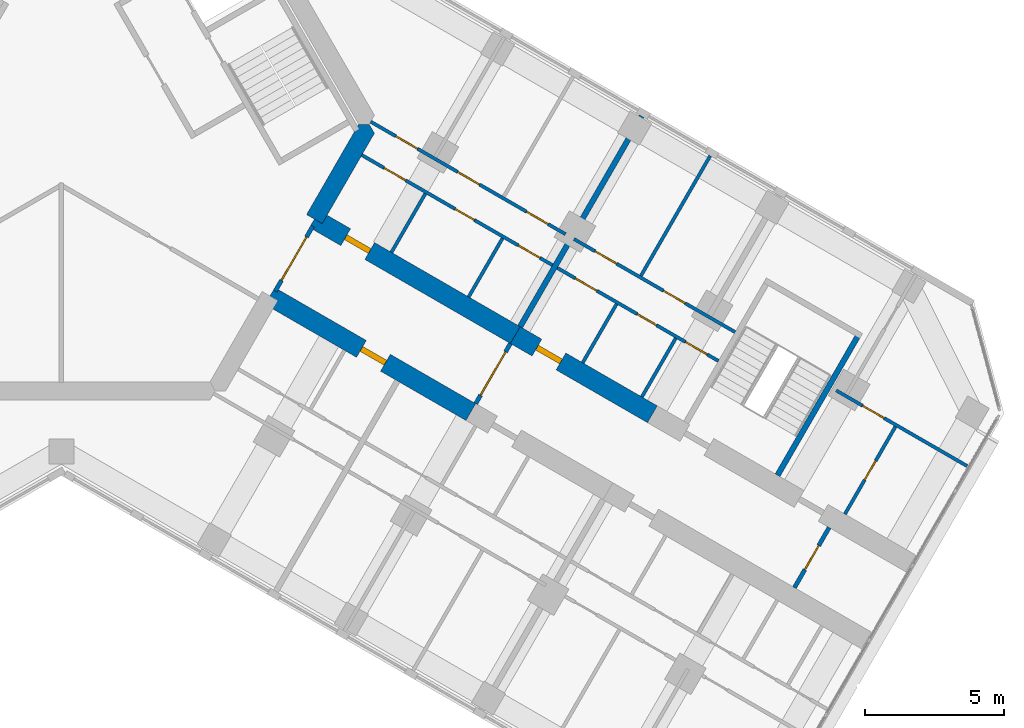
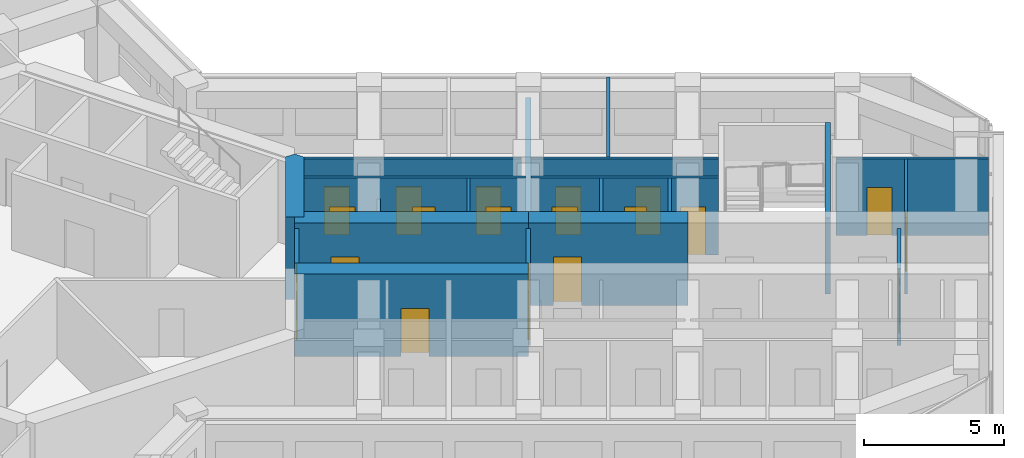
# One storey, part 12 of 16: 20 walls, 19 doors, 19 openings.
"""IFC4 building model written with IfcOpenShell, lengths in metres."""

from ifc_helpers import new_model, si_unit, direction, frame, frame_2d, origin, place, context, subcontext, project, spatial, polyline, rectangle, outline, extrude, material, layer, layer_set, type_object, element, fill, save


model = new_model("IFC4")

# Units and contexts
model_context = context("Model", 3, precision=1e-05, world=origin(), true_north=direction((0.0, 1.0)))
body_context = subcontext(model_context, "Body", "Model", "MODEL_VIEW")
ifc_project = project(units=[si_unit("LENGTHUNIT", "METRE"), si_unit("AREAUNIT", "SQUARE_METRE"), si_unit("VOLUMEUNIT", "CUBIC_METRE"), si_unit("PLANEANGLEUNIT", "RADIAN"), si_unit("MASSUNIT", "GRAM", prefix="KILO")], contexts=[model_context])

# Site, building, storey
site_placement = place(None, origin())
site = spatial("IfcSite", under=ifc_project, at=site_placement, CompositionType="ELEMENT")
building_placement = place(site_placement, origin())
building = spatial("IfcBuilding", under=site, at=building_placement, Name="Kosmar Iwan School Tower", CompositionType="ELEMENT")
storey_placement = place(building_placement, frame((0.0, 0.0, 215.39990234375)))
storey = spatial("IfcBuildingStorey", under=building, at=storey_placement, Name="L54", CompositionType="ELEMENT", Elevation=215.39990234375)

# Wall
ifc_material_1 = material(Name="Concrete C50/60", Category="concrete")
ifc_layer_1 = layer(ifc_material_1, 0.64990234375)
ifc_layer_set_1 = layer_set([ifc_layer_1], Name="Core wall 650")
wall_type_1 = type_object("IfcWallType", Name="Core wall 650", PredefinedType="SHEAR", material=ifc_layer_set_1)
wall_1_placement = place(storey_placement, origin())
element("IfcWall", 1, at=wall_1_placement, inside=storey, type_object=wall_type_1, Name="Core wall F330b", PredefinedType="SHEAR", context=body_context, shape_type="SweptSolid", body=[
    extrude(outline(polyline([(9.395263671875, -3.576904296875), (11.272705078125, -0.324951171875), (11.085205078125, 0.0), (10.7099609375, 0.0), (8.832275390625, -3.251953125), (9.395263671875, -3.576904296875)])), origin(), (0.0, 0.0, 1.0), 3.60009765625),
])

# Wall, opening, door
ifc_material_2 = material(Name="Concrete C50/60", Category="concrete")
ifc_layer_2 = layer(ifc_material_2, 0.699951171875)
ifc_layer_set_2 = layer_set([ifc_layer_2], Name="Corridor buttress wall 700")
wall_type_2 = type_object("IfcWallType", Name="Corridor buttress wall 700", PredefinedType="SHEAR", material=ifc_layer_set_2)
wall_2_placement = place(storey_placement, frame((9.11376953125, -3.414306640625, 0.0), z_axis=(0.0, 0.0, 1.0), x_axis=(0.866026859388, -0.499997478812, 0.0)))
wall_2 = element("IfcWall", 2, at=wall_2_placement, inside=storey, type_object=wall_type_2, Name="Corridor wall CL", PredefinedType="SHEAR", context=body_context, shape_type="SweptSolid", body=[
    extrude(rectangle(XDim=8.35009765625, YDim=0.699951171875, at=frame_2d((4.175048828125, 0.0))), origin(), (0.0, 0.0, 1.0), 3.60009765625),
])
opening_1_placement = place(wall_2_placement, frame((1.300048828125, 0.0, 0.0)))
opening_1 = element("IfcOpeningElement", 3, at=opening_1_placement, cuts=wall_2, Name="Opening D1", PredefinedType="OPENING", context=body_context, shape_type="SweptSolid", body=[
    extrude(rectangle(XDim=1.0, YDim=2.10009765625, at=frame_2d((0.5, 1.050048828125))), frame((0.0, 0.362060546875, 0.0), z_axis=(0.0, -1.0, 0.0), x_axis=(1.0, 0.0, 0.0)), (0.0, 0.0, 1.0), 0.723876953125),
])
ifc_material_3 = material(Name="Timber fire door in steel frame", Category="steel")
door_type_1 = type_object("IfcDoorType", Name="Flat entrance door 1000x2100", OperationType="SINGLE_SWING_LEFT", PredefinedType="DOOR", material=ifc_material_3)
door_1_placement = place(opening_1_placement, origin())
door_1 = element("IfcDoor", 4, at=door_1_placement, inside=storey, type_object=door_type_1, Name="Flat L54-CL1 entrance door", OperationType="SINGLE_SWING_RIGHT", OverallHeight=2.10009765625, OverallWidth=1.0, PredefinedType="DOOR", context=body_context, shape_type="SweptSolid", body=[
    extrude(rectangle(XDim=1.0, YDim=2.10009765625, at=frame_2d((0.5, 1.050048828125))), frame((0.0, 0.10009765625, 0.0), z_axis=(0.0, -1.0, 0.0), x_axis=(1.0, 0.0, 0.0)), (0.0, 0.0, 1.0), 0.199951171875),
])
fill(opening_1, door_1)

wall_3_placement = place(storey_placement, frame((16.34521484375, -7.58935546875, 0.0), z_axis=(0.0, 0.0, 1.0), x_axis=(0.866015111908, -0.50001782563, 0.0)))
wall_3 = element("IfcWall", 5, at=wall_3_placement, inside=storey, type_object=wall_type_2, Name="Corridor wall CL bay 2", PredefinedType="SHEAR", context=body_context, shape_type="SweptSolid", body=[
    extrude(rectangle(XDim=5.699951171875, YDim=0.699951171875, at=frame_2d((2.85009765625, 0.0))), origin(), (0.0, 0.0, 1.0), 3.60009765625),
])
opening_2_placement = place(wall_3_placement, frame((0.89990234375, 0.0, 0.0)))
opening_2 = element("IfcOpeningElement", 6, at=opening_2_placement, cuts=wall_3, Name="Opening D1", PredefinedType="OPENING", context=body_context, shape_type="SweptSolid", body=[
    extrude(rectangle(XDim=1.0, YDim=2.10009765625, at=frame_2d((0.5, 1.050048828125))), frame((0.0, 0.362060546875, 0.0), z_axis=(0.0, -1.0, 0.0), x_axis=(1.0, 0.0, 0.0)), (0.0, 0.0, 1.0), 0.723876953125),
])
door_2_placement = place(opening_2_placement, origin())
door_2 = element("IfcDoor", 7, at=door_2_placement, inside=storey, type_object=door_type_1, Name="Flat L54-CL2 entrance door", OperationType="SINGLE_SWING_RIGHT", OverallHeight=2.10009765625, OverallWidth=1.0, PredefinedType="DOOR", context=body_context, shape_type="SweptSolid", body=[
    extrude(rectangle(XDim=1.0, YDim=2.10009765625, at=frame_2d((0.5, 1.050048828125))), frame((0.0, 0.10009765625, 0.0), z_axis=(0.0, -1.0, 0.0), x_axis=(1.0, 0.0, 0.0)), (0.0, 0.0, 1.0), 0.199951171875),
])
fill(opening_2, door_2)

wall_4_placement = place(storey_placement, frame((7.513916015625, -6.185546875, 0.0), z_axis=(0.0, 0.0, 1.0), x_axis=(0.866019549707, -0.500010139422, 0.0)))
wall_4 = element("IfcWall", 8, at=wall_4_placement, inside=storey, type_object=wall_type_2, Name="Corridor wall CR", PredefinedType="SHEAR", context=body_context, shape_type="SweptSolid", body=[
    extrude(rectangle(XDim=8.349853515625, YDim=0.699951171875, at=frame_2d((4.1748046875, 0.0))), origin(), (0.0, 0.0, 1.0), 3.60009765625),
])
opening_3_placement = place(wall_4_placement, frame((3.800048828125, 0.0, 0.0)))
opening_3 = element("IfcOpeningElement", 9, at=opening_3_placement, cuts=wall_4, Name="Opening D1", PredefinedType="OPENING", context=body_context, shape_type="SweptSolid", body=[
    extrude(rectangle(XDim=1.0, YDim=2.10009765625, at=frame_2d((0.5, 1.050048828125))), frame((0.0, 0.362060546875, 0.0), z_axis=(0.0, -1.0, 0.0), x_axis=(1.0, 0.0, 0.0)), (0.0, 0.0, 1.0), 0.723876953125),
])
door_3_placement = place(opening_3_placement, origin())
door_3 = element("IfcDoor", 10, at=door_3_placement, inside=storey, type_object=door_type_1, Name="Flat L54-CR1 entrance door", OperationType="SINGLE_SWING_RIGHT", OverallHeight=2.10009765625, OverallWidth=1.0, PredefinedType="DOOR", context=body_context, shape_type="SweptSolid", body=[
    extrude(rectangle(XDim=1.0, YDim=2.10009765625, at=frame_2d((0.5, 1.050048828125))), frame((0.0, 0.10009765625, 0.0), z_axis=(0.0, -1.0, 0.0), x_axis=(1.0, 0.0, 0.0)), (0.0, 0.0, 1.0), 0.199951171875),
])
fill(opening_3, door_3)

ifc_material_4 = material(Name="Gypsum board on steel studs, fire-rated", Category="steel")
ifc_layer_3 = layer(ifc_material_4, 0.14990234375)
ifc_layer_set_3 = layer_set([ifc_layer_3], Name="Corridor end wall 150")
wall_type_3 = type_object("IfcWallType", Name="Corridor end wall 150", PredefinedType="PARTITIONING", material=ifc_layer_set_3)
wall_5_placement = place(storey_placement, frame((26.39501953125, -16.6826171875, 0.0), z_axis=(0.0, 0.0, 1.0), x_axis=(0.500004234368, 0.866022959057, 0.0)))
wall_5 = element("IfcWall", 11, at=wall_5_placement, inside=storey, type_object=wall_type_3, Name="Partition L54-C-CE", PredefinedType="PARTITIONING", context=body_context, shape_type="SweptSolid", body=[
    extrude(rectangle(XDim=2.5, YDim=0.14990234375, at=frame_2d((1.25, 0.0))), origin(), (0.0, 0.0, 1.0), 3.35009765625),
])
opening_4_placement = place(wall_5_placement, frame((0.75, 0.0, 0.0)))
opening_4 = element("IfcOpeningElement", 12, at=opening_4_placement, cuts=wall_5, Name="Opening D13", PredefinedType="OPENING", context=body_context, shape_type="SweptSolid", body=[
    extrude(rectangle(XDim=1.0, YDim=2.10009765625, at=frame_2d((0.5, 1.050048828125))), frame((0.0, 0.0869140625, 0.0), z_axis=(0.0, -1.0, 0.0), x_axis=(1.0, 0.0, 0.0)), (0.0, 0.0, 1.0), 0.173828125),
])
ifc_material_5 = material(Name="Timber fire door with vision panel", Category="wood")
door_type_2 = type_object("IfcDoorType", Name="Corridor end door 1000x2100", OperationType="SINGLE_SWING_LEFT", PredefinedType="DOOR", material=ifc_material_5)
door_4_placement = place(opening_4_placement, origin())
door_4 = element("IfcDoor", 13, at=door_4_placement, inside=storey, type_object=door_type_2, Name="Laundry and drying room door L54-C", OperationType="SINGLE_SWING_RIGHT", OverallHeight=2.10009765625, OverallWidth=1.0, PredefinedType="DOOR", context=body_context, shape_type="SweptSolid", body=[
    extrude(rectangle(XDim=1.0, YDim=2.10009765625, at=frame_2d((0.5, 1.050048828125))), frame((0.0, 0.02490234375, 0.0), z_axis=(0.0, -1.0, 0.0), x_axis=(1.0, 0.0, 0.0)), (0.0, 0.0, 1.0), 0.050048828125),
])
fill(opening_4, door_4)

wall_6_placement = place(storey_placement, frame((14.920166015625, -10.0576171875, 0.0), z_axis=(0.0, 0.0, 1.0), x_axis=(0.500004234368, 0.866022959057, 0.0)))
wall_6 = element("IfcWall", 14, at=wall_6_placement, inside=storey, type_object=wall_type_3, Name="Partition L54-C-HW", PredefinedType="PARTITIONING", context=body_context, shape_type="SweptSolid", body=[
    extrude(rectangle(XDim=2.5, YDim=0.14990234375, at=frame_2d((1.25, 0.0))), origin(), (0.0, 0.0, 1.0), 3.35009765625),
])
opening_5_placement = place(wall_6_placement, frame((0.35009765625, 0.0, 0.0)))
opening_5 = element("IfcOpeningElement", 15, at=opening_5_placement, cuts=wall_6, Name="Opening D9", PredefinedType="OPENING", context=body_context, shape_type="SweptSolid", body=[
    extrude(rectangle(XDim=1.800048828125, YDim=2.10009765625, at=frame_2d((0.89990234375, 1.050048828125))), frame((0.0, 0.0869140625, 0.0), z_axis=(0.0, -1.0, 0.0), x_axis=(1.0, 0.0, 0.0)), (0.0, 0.0, 1.0), 0.173828125),
])
ifc_material_6 = material(Name="Steel framed glazed smoke door", Category="steel")
door_type_3 = type_object("IfcDoorType", Name="Corridor smoke door pair 1800x2100", OperationType="DOUBLE_DOOR_DOUBLE_SWING", PredefinedType="DOOR", material=ifc_material_6)
door_5_placement = place(opening_5_placement, origin())
door_5 = element("IfcDoor", 16, at=door_5_placement, inside=storey, type_object=door_type_3, Name="Entrance vestibule smoke doors L54-C", OperationType="DOUBLE_DOOR_DOUBLE_SWING", OverallHeight=2.10009765625, OverallWidth=1.800048828125, PredefinedType="DOOR", context=body_context, shape_type="SweptSolid", body=[
    extrude(rectangle(XDim=1.800048828125, YDim=2.10009765625, at=frame_2d((0.89990234375, 1.050048828125))), frame((0.0, 0.02490234375, 0.0), z_axis=(0.0, -1.0, 0.0), x_axis=(1.0, 0.0, 0.0)), (0.0, 0.0, 1.0), 0.050048828125),
])
fill(opening_5, door_5)

ifc_material_7 = material(Name="Steel framed glazed screen", Category="steel")
ifc_layer_4 = layer(ifc_material_7, 0.14990234375)
ifc_layer_set_4 = layer_set([ifc_layer_4], Name="Corridor screen wall 150")
wall_type_4 = type_object("IfcWallType", Name="Corridor screen wall 150", PredefinedType="PARTITIONING", material=ifc_layer_set_4)
wall_7_placement = place(storey_placement, frame((7.703857421875, -6.006591796875, 0.0), z_axis=(0.0, 0.0, 1.0), x_axis=(0.499980770555, 0.866036505625, 0.0)))
wall_7 = element("IfcWall", 17, at=wall_7_placement, inside=storey, type_object=wall_type_4, Name="Corridor screen C L54", PredefinedType="PARTITIONING", context=body_context, shape_type="SweptSolid", body=[
    extrude(rectangle(XDim=2.69970703125, YDim=0.14990234375, at=frame_2d((1.349853515625, 0.0))), origin(), (0.0, 0.0, 1.0), 3.35009765625),
])
opening_6_placement = place(wall_7_placement, frame((0.449951171875, 0.0, 0.0)))
opening_6 = element("IfcOpeningElement", 18, at=opening_6_placement, cuts=wall_7, Name="Opening D9", PredefinedType="OPENING", context=body_context, shape_type="SweptSolid", body=[
    extrude(rectangle(XDim=1.800048828125, YDim=2.10009765625, at=frame_2d((0.89990234375, 1.050048828125))), frame((0.0, 0.0869140625, 0.0), z_axis=(0.0, -1.0, 0.0), x_axis=(1.0, 0.0, 0.0)), (0.0, 0.0, 1.0), 0.173828125),
])
door_6_placement = place(opening_6_placement, origin())
door_6 = element("IfcDoor", 19, at=door_6_placement, inside=storey, type_object=door_type_3, Name="Corridor doors C L54", OperationType="DOUBLE_DOOR_DOUBLE_SWING", OverallHeight=2.10009765625, OverallWidth=1.800048828125, PredefinedType="DOOR", context=body_context, shape_type="SweptSolid", body=[
    extrude(rectangle(XDim=1.800048828125, YDim=2.10009765625, at=frame_2d((0.89990234375, 1.050048828125))), frame((0.0, 0.02490234375, 0.0), z_axis=(0.0, -1.0, 0.0), x_axis=(1.0, 0.0, 0.0)), (0.0, 0.0, 1.0), 0.050048828125),
])
fill(opening_6, door_6)

# Wall, openings, doors
ifc_material_8 = material(Name="Gypsum board on steel studs", Category="steel")
ifc_layer_5 = layer(ifc_material_8, 0.1201171875)
ifc_layer_set_5 = layer_set([ifc_layer_5], Name="Dwelling partition 120")
wall_type_5 = type_object("IfcWallType", Name="Dwelling partition 120", PredefinedType="PARTITIONING", material=ifc_layer_set_5)
wall_8_placement = place(storey_placement, frame((10.8203125, -1.108642578125, 0.0), z_axis=(0.0, 0.0, 1.0), x_axis=(0.866018344059, -0.500012227604, 0.0)))
wall_8 = element("IfcWall", 20, at=wall_8_placement, inside=storey, type_object=wall_type_5, Name="Partition L54-CL1-W1", PredefinedType="PARTITIONING", context=body_context, shape_type="SweptSolid", body=[
    extrude(rectangle(XDim=7.925048828125, YDim=0.1201171875, at=frame_2d((3.96240234375, 0.0))), origin(), (0.0, 0.0, 1.0), 3.35009765625),
])
opening_7_placement = place(wall_8_placement, frame((0.925048828125, 0.0, 0.0)))
opening_7 = element("IfcOpeningElement", 21, at=opening_7_placement, cuts=wall_8, Name="Opening D2", PredefinedType="OPENING", context=body_context, shape_type="SweptSolid", body=[
    extrude(rectangle(XDim=0.89990234375, YDim=2.10009765625, at=frame_2d((0.449951171875, 1.050048828125))), frame((0.0, 0.072021484375, 0.0), z_axis=(0.0, -1.0, 0.0), x_axis=(1.0, 0.0, 0.0)), (0.0, 0.0, 1.0), 0.14404296875),
])
opening_8_placement = place(wall_8_placement, frame((3.880126953125, 0.0, 0.0)))
opening_8 = element("IfcOpeningElement", 22, at=opening_8_placement, cuts=wall_8, Name="Opening D3", PredefinedType="OPENING", context=body_context, shape_type="SweptSolid", body=[
    extrude(rectangle(XDim=0.800048828125, YDim=2.10009765625, at=frame_2d((0.39990234375, 1.050048828125))), frame((0.0, 0.072021484375, 0.0), z_axis=(0.0, -1.0, 0.0), x_axis=(1.0, 0.0, 0.0)), (0.0, 0.0, 1.0), 0.14404296875),
])
opening_9_placement = place(wall_8_placement, frame((6.505126953125, 0.0, 0.0)))
opening_9 = element("IfcOpeningElement", 23, at=opening_9_placement, cuts=wall_8, Name="Opening D2", PredefinedType="OPENING", context=body_context, shape_type="SweptSolid", body=[
    extrude(rectangle(XDim=0.89990234375, YDim=2.10009765625, at=frame_2d((0.449951171875, 1.050048828125))), frame((0.0, 0.072021484375, 0.0), z_axis=(0.0, -1.0, 0.0), x_axis=(1.0, 0.0, 0.0)), (0.0, 0.0, 1.0), 0.14404296875),
])
ifc_material_9 = material(Name="Timber door in timber frame", Category="wood")
door_type_4 = type_object("IfcDoorType", Name="Internal door 900x2100", OperationType="SINGLE_SWING_LEFT", PredefinedType="DOOR", material=ifc_material_9)
door_7_placement = place(opening_7_placement, origin())
door_7 = element("IfcDoor", 24, at=door_7_placement, inside=storey, type_object=door_type_4, Name="Entrance hall door L54-CL1-S1", OperationType="SINGLE_SWING_LEFT", OverallHeight=2.10009765625, OverallWidth=0.89990234375, PredefinedType="DOOR", context=body_context, shape_type="SweptSolid", body=[
    extrude(rectangle(XDim=0.89990234375, YDim=2.10009765625, at=frame_2d((0.449951171875, 1.050048828125))), frame((0.0, 0.02490234375, 0.0), z_axis=(0.0, -1.0, 0.0), x_axis=(1.0, 0.0, 0.0)), (0.0, 0.0, 1.0), 0.050048828125),
])
fill(opening_7, door_7)
door_8_placement = place(opening_9_placement, origin())
door_8 = element("IfcDoor", 25, at=door_8_placement, inside=storey, type_object=door_type_4, Name="Pantry door L54-CL1-S3", OperationType="SINGLE_SWING_RIGHT", OverallHeight=2.10009765625, OverallWidth=0.89990234375, PredefinedType="DOOR", context=body_context, shape_type="SweptSolid", body=[
    extrude(rectangle(XDim=0.89990234375, YDim=2.10009765625, at=frame_2d((0.449951171875, 1.050048828125))), frame((0.0, 0.02490234375, 0.0), z_axis=(0.0, -1.0, 0.0), x_axis=(1.0, 0.0, 0.0)), (0.0, 0.0, 1.0), 0.050048828125),
])
fill(opening_9, door_8)
ifc_material_10 = material(Name="Timber door in timber frame", Category="wood")
door_type_5 = type_object("IfcDoorType", Name="Sanitary room door 800x2100", OperationType="SINGLE_SWING_LEFT", PredefinedType="DOOR", material=ifc_material_10)
door_9_placement = place(opening_8_placement, origin())
door_9 = element("IfcDoor", 26, at=door_9_placement, inside=storey, type_object=door_type_5, Name="Bathroom door L54-CL1-S2", OperationType="SINGLE_SWING_RIGHT", OverallHeight=2.10009765625, OverallWidth=0.800048828125, PredefinedType="DOOR", context=body_context, shape_type="SweptSolid", body=[
    extrude(rectangle(XDim=0.800048828125, YDim=2.10009765625, at=frame_2d((0.39990234375, 1.050048828125))), frame((0.0, 0.02490234375, 0.0), z_axis=(0.0, -1.0, 0.0), x_axis=(1.0, 0.0, 0.0)), (0.0, 0.0, 1.0), 0.050048828125),
])
fill(opening_8, door_9)

wall_9_placement = place(storey_placement, frame((11.138916015625, 0.093017578125, 0.0), z_axis=(0.0, 0.0, 1.0), x_axis=(0.866017937352, -0.500012932018, 0.0)))
wall_9 = element("IfcWall", 27, at=wall_9_placement, inside=storey, type_object=wall_type_5, Name="Partition L54-CL1-W2", PredefinedType="PARTITIONING", context=body_context, shape_type="SweptSolid", body=[
    extrude(rectangle(XDim=8.099853515625, YDim=0.1201171875, at=frame_2d((4.0498046875, 0.0))), origin(), (0.0, 0.0, 1.0), 3.35009765625),
])
opening_10_placement = place(wall_9_placement, frame((1.050048828125, 0.0, 0.0)))
opening_10 = element("IfcOpeningElement", 28, at=opening_10_placement, cuts=wall_9, Name="Opening D2", PredefinedType="OPENING", context=body_context, shape_type="SweptSolid", body=[
    extrude(rectangle(XDim=0.89990234375, YDim=2.10009765625, at=frame_2d((0.449951171875, 1.050048828125))), frame((0.0, 0.072021484375, 0.0), z_axis=(0.0, -1.0, 0.0), x_axis=(1.0, 0.0, 0.0)), (0.0, 0.0, 1.0), 0.14404296875),
])
opening_11_placement = place(wall_9_placement, frame((3.625, 0.0, 0.0)))
opening_11 = element("IfcOpeningElement", 29, at=opening_11_placement, cuts=wall_9, Name="Opening D2", PredefinedType="OPENING", context=body_context, shape_type="SweptSolid", body=[
    extrude(rectangle(XDim=0.89990234375, YDim=2.10009765625, at=frame_2d((0.449951171875, 1.050048828125))), frame((0.0, 0.072021484375, 0.0), z_axis=(0.0, -1.0, 0.0), x_axis=(1.0, 0.0, 0.0)), (0.0, 0.0, 1.0), 0.14404296875),
])
opening_12_placement = place(wall_9_placement, frame((6.47509765625, 0.0, 0.0)))
opening_12 = element("IfcOpeningElement", 30, at=opening_12_placement, cuts=wall_9, Name="Opening D2", PredefinedType="OPENING", context=body_context, shape_type="SweptSolid", body=[
    extrude(rectangle(XDim=0.89990234375, YDim=2.10009765625, at=frame_2d((0.449951171875, 1.050048828125))), frame((0.0, 0.072021484375, 0.0), z_axis=(0.0, -1.0, 0.0), x_axis=(1.0, 0.0, 0.0)), (0.0, 0.0, 1.0), 0.14404296875),
])
door_10_placement = place(opening_10_placement, origin())
door_10 = element("IfcDoor", 31, at=door_10_placement, inside=storey, type_object=door_type_4, Name="Living room and kitchen door L54-CL1-F1", OperationType="SINGLE_SWING_LEFT", OverallHeight=2.10009765625, OverallWidth=0.89990234375, PredefinedType="DOOR", context=body_context, shape_type="SweptSolid", body=[
    extrude(rectangle(XDim=0.89990234375, YDim=2.10009765625, at=frame_2d((0.449951171875, 1.050048828125))), frame((0.0, 0.02490234375, 0.0), z_axis=(0.0, -1.0, 0.0), x_axis=(1.0, 0.0, 0.0)), (0.0, 0.0, 1.0), 0.050048828125),
])
fill(opening_10, door_10)
door_11_placement = place(opening_11_placement, origin())
door_11 = element("IfcDoor", 32, at=door_11_placement, inside=storey, type_object=door_type_4, Name="Study door L54-CL1-F2", OperationType="SINGLE_SWING_LEFT", OverallHeight=2.10009765625, OverallWidth=0.89990234375, PredefinedType="DOOR", context=body_context, shape_type="SweptSolid", body=[
    extrude(rectangle(XDim=0.89990234375, YDim=2.10009765625, at=frame_2d((0.449951171875, 1.050048828125))), frame((0.0, 0.02490234375, 0.0), z_axis=(0.0, -1.0, 0.0), x_axis=(1.0, 0.0, 0.0)), (0.0, 0.0, 1.0), 0.050048828125),
])
fill(opening_11, door_11)
door_12_placement = place(opening_12_placement, origin())
door_12 = element("IfcDoor", 33, at=door_12_placement, inside=storey, type_object=door_type_4, Name="Bedroom 1 door L54-CL1-F3", OperationType="SINGLE_SWING_RIGHT", OverallHeight=2.10009765625, OverallWidth=0.89990234375, PredefinedType="DOOR", context=body_context, shape_type="SweptSolid", body=[
    extrude(rectangle(XDim=0.89990234375, YDim=2.10009765625, at=frame_2d((0.449951171875, 1.050048828125))), frame((0.0, 0.02490234375, 0.0), z_axis=(0.0, -1.0, 0.0), x_axis=(1.0, 0.0, 0.0)), (0.0, 0.0, 1.0), 0.050048828125),
])
fill(opening_12, door_12)

# Walls
wall_10_placement = place(storey_placement, frame((11.886962890625, -4.611328125, 0.0), z_axis=(0.0, 0.0, 1.0), x_axis=(0.499959183527, 0.866048967903, 0.0)))
element("IfcWall", 34, at=wall_10_placement, inside=storey, type_object=wall_type_5, Name="Partition L54-CL1-Y1", PredefinedType="PARTITIONING", context=body_context, shape_type="SweptSolid", body=[
    extrude(rectangle(XDim=2.440185546875, YDim=0.1201171875, at=frame_2d((1.22021484375, 0.0))), origin(), (0.0, 0.0, 1.0), 2.4501953125),
])
wall_11_placement = place(storey_placement, frame((14.666748046875, -6.21630859375, 0.0), z_axis=(0.0, 0.0, 1.0), x_axis=(0.500034220881, 0.866005645448, 0.0)))
element("IfcWall", 35, at=wall_11_placement, inside=storey, type_object=wall_type_5, Name="Partition L54-CL1-Y2", PredefinedType="PARTITIONING", context=body_context, shape_type="SweptSolid", body=[
    extrude(rectangle(XDim=2.440185546875, YDim=0.1201171875, at=frame_2d((1.22021484375, 0.0))), origin(), (0.0, 0.0, 1.0), 3.35009765625),
])

# Wall, openings, doors
wall_12_placement = place(storey_placement, frame((17.856689453125, -5.171142578125, 0.0), z_axis=(0.0, 0.0, 1.0), x_axis=(0.866023571113, -0.500003174267, 0.0)))
wall_12 = element("IfcWall", 36, at=wall_12_placement, inside=storey, type_object=wall_type_5, Name="Partition L54-CL2-W1", PredefinedType="PARTITIONING", context=body_context, shape_type="SweptSolid", body=[
    extrude(rectangle(XDim=6.7001953125, YDim=0.1201171875, at=frame_2d((3.35009765625, 0.0))), origin(), (0.0, 0.0, 1.0), 3.35009765625),
])
opening_13_placement = place(wall_12_placement, frame((0.75, 0.0, 0.0)))
opening_13 = element("IfcOpeningElement", 37, at=opening_13_placement, cuts=wall_12, Name="Opening D2", PredefinedType="OPENING", context=body_context, shape_type="SweptSolid", body=[
    extrude(rectangle(XDim=0.89990234375, YDim=2.10009765625, at=frame_2d((0.449951171875, 1.050048828125))), frame((0.0, 0.072021484375, 0.0), z_axis=(0.0, -1.0, 0.0), x_axis=(1.0, 0.0, 0.0)), (0.0, 0.0, 1.0), 0.14404296875),
])
opening_14_placement = place(wall_12_placement, frame((3.330078125, 0.0, 0.0)))
opening_14 = element("IfcOpeningElement", 38, at=opening_14_placement, cuts=wall_12, Name="Opening D3", PredefinedType="OPENING", context=body_context, shape_type="SweptSolid", body=[
    extrude(rectangle(XDim=0.800048828125, YDim=2.10009765625, at=frame_2d((0.39990234375, 1.050048828125))), frame((0.0, 0.072021484375, 0.0), z_axis=(0.0, -1.0, 0.0), x_axis=(1.0, 0.0, 0.0)), (0.0, 0.0, 1.0), 0.14404296875),
])
opening_15_placement = place(wall_12_placement, frame((5.330078125, 0.0, 0.0)))
opening_15 = element("IfcOpeningElement", 39, at=opening_15_placement, cuts=wall_12, Name="Opening D2", PredefinedType="OPENING", context=body_context, shape_type="SweptSolid", body=[
    extrude(rectangle(XDim=0.89990234375, YDim=2.10009765625, at=frame_2d((0.449951171875, 1.050048828125))), frame((0.0, 0.072021484375, 0.0), z_axis=(0.0, -1.0, 0.0), x_axis=(1.0, 0.0, 0.0)), (0.0, 0.0, 1.0), 0.14404296875),
])
door_13_placement = place(opening_13_placement, origin())
door_13 = element("IfcDoor", 40, at=door_13_placement, inside=storey, type_object=door_type_4, Name="Entrance hall door L54-CL2-S1", OperationType="SINGLE_SWING_LEFT", OverallHeight=2.10009765625, OverallWidth=0.89990234375, PredefinedType="DOOR", context=body_context, shape_type="SweptSolid", body=[
    extrude(rectangle(XDim=0.89990234375, YDim=2.10009765625, at=frame_2d((0.449951171875, 1.050048828125))), frame((0.0, 0.02490234375, 0.0), z_axis=(0.0, -1.0, 0.0), x_axis=(1.0, 0.0, 0.0)), (0.0, 0.0, 1.0), 0.050048828125),
])
fill(opening_13, door_13)
door_14_placement = place(opening_15_placement, frame((0.89990234375, 0.0, 0.0), z_axis=(0.0, 0.0, 1.0), x_axis=(-1.0, 0.0, 0.0)))
door_14 = element("IfcDoor", 41, at=door_14_placement, inside=storey, type_object=door_type_4, Name="Pantry door L54-CL2-S3", OperationType="SINGLE_SWING_LEFT", OverallHeight=2.10009765625, OverallWidth=0.89990234375, PredefinedType="DOOR", context=body_context, shape_type="SweptSolid", body=[
    extrude(rectangle(XDim=0.89990234375, YDim=2.10009765625, at=frame_2d((0.449951171875, 1.050048828125))), frame((0.0, 0.02490234375, 0.0), z_axis=(0.0, -1.0, 0.0), x_axis=(1.0, 0.0, 0.0)), (0.0, 0.0, 1.0), 0.050048828125),
])
fill(opening_15, door_14)
door_15_placement = place(opening_14_placement, origin())
door_15 = element("IfcDoor", 42, at=door_15_placement, inside=storey, type_object=door_type_5, Name="Bathroom door L54-CL2-S2", OperationType="SINGLE_SWING_RIGHT", OverallHeight=2.10009765625, OverallWidth=0.800048828125, PredefinedType="DOOR", context=body_context, shape_type="SweptSolid", body=[
    extrude(rectangle(XDim=0.800048828125, YDim=2.10009765625, at=frame_2d((0.39990234375, 1.050048828125))), frame((0.0, 0.02490234375, 0.0), z_axis=(0.0, -1.0, 0.0), x_axis=(1.0, 0.0, 0.0)), (0.0, 0.0, 1.0), 0.050048828125),
])
fill(opening_14, door_15)

wall_13_placement = place(storey_placement, frame((18.456787109375, -4.1318359375, 0.0), z_axis=(0.0, 0.0, 1.0), x_axis=(0.866014461049, -0.500018952895, 0.0)))
wall_13 = element("IfcWall", 43, at=wall_13_placement, inside=storey, type_object=wall_type_5, Name="Partition L54-CL2-W2", PredefinedType="PARTITIONING", context=body_context, shape_type="SweptSolid", body=[
    extrude(rectangle(XDim=6.699951171875, YDim=0.1201171875, at=frame_2d((3.35009765625, 0.0))), origin(), (0.0, 0.0, 1.0), 3.35009765625),
])
opening_16_placement = place(wall_13_placement, frame((0.875, 0.0, 0.0)))
opening_16 = element("IfcOpeningElement", 44, at=opening_16_placement, cuts=wall_13, Name="Opening D2", PredefinedType="OPENING", context=body_context, shape_type="SweptSolid", body=[
    extrude(rectangle(XDim=0.89990234375, YDim=2.10009765625, at=frame_2d((0.449951171875, 1.050048828125))), frame((0.0, 0.072021484375, 0.0), z_axis=(0.0, -1.0, 0.0), x_axis=(1.0, 0.0, 0.0)), (0.0, 0.0, 1.0), 0.14404296875),
])
opening_17_placement = place(wall_13_placement, frame((3.72509765625, 0.0, 0.0)))
opening_17 = element("IfcOpeningElement", 45, at=opening_17_placement, cuts=wall_13, Name="Opening D2", PredefinedType="OPENING", context=body_context, shape_type="SweptSolid", body=[
    extrude(rectangle(XDim=0.89990234375, YDim=2.10009765625, at=frame_2d((0.449951171875, 1.050048828125))), frame((0.0, 0.072021484375, 0.0), z_axis=(0.0, -1.0, 0.0), x_axis=(1.0, 0.0, 0.0)), (0.0, 0.0, 1.0), 0.14404296875),
])
door_16_placement = place(opening_16_placement, origin())
door_16 = element("IfcDoor", 46, at=door_16_placement, inside=storey, type_object=door_type_4, Name="Living room and kitchen door L54-CL2-F1", OperationType="SINGLE_SWING_RIGHT", OverallHeight=2.10009765625, OverallWidth=0.89990234375, PredefinedType="DOOR", context=body_context, shape_type="SweptSolid", body=[
    extrude(rectangle(XDim=0.89990234375, YDim=2.10009765625, at=frame_2d((0.449951171875, 1.050048828125))), frame((0.0, 0.02490234375, 0.0), z_axis=(0.0, -1.0, 0.0), x_axis=(1.0, 0.0, 0.0)), (0.0, 0.0, 1.0), 0.050048828125),
])
fill(opening_16, door_16)
door_17_placement = place(opening_17_placement, origin())
door_17 = element("IfcDoor", 47, at=door_17_placement, inside=storey, type_object=door_type_4, Name="Bedroom 1 door L54-CL2-F2", OperationType="SINGLE_SWING_LEFT", OverallHeight=2.10009765625, OverallWidth=0.89990234375, PredefinedType="DOOR", context=body_context, shape_type="SweptSolid", body=[
    extrude(rectangle(XDim=0.89990234375, YDim=2.10009765625, at=frame_2d((0.449951171875, 1.050048828125))), frame((0.0, 0.02490234375, 0.0), z_axis=(0.0, -1.0, 0.0), x_axis=(1.0, 0.0, 0.0)), (0.0, 0.0, 1.0), 0.050048828125),
])
fill(opening_17, door_17)

# Walls
wall_14_placement = place(storey_placement, frame((20.868408203125, -5.455078125, 0.0), z_axis=(0.0, 0.0, 1.0), x_axis=(0.499975153383, 0.86603974851, 0.0)))
element("IfcWall", 48, at=wall_14_placement, inside=storey, type_object=wall_type_5, Name="Partition L54-CL2-X1", PredefinedType="PARTITIONING", context=body_context, shape_type="SweptSolid", body=[
    extrude(rectangle(XDim=4.989990234375, YDim=0.1201171875, at=frame_2d((2.4951171875, 0.0))), origin(), (0.0, 0.0, 1.0), 3.35009765625),
])
for number, where, z_axis, x_axis, name in (
    (49, (18.771728515625, -8.586181640625, 0.0), (0.0, 0.0, 1.0), (0.500077547548, 0.865980627057, 0.0), "Partition L54-CL2-Y1"),
    (50, (20.90234375, -9.816162109375, 0.0), (0.0, 0.0, 1.0), (0.500002508028, 0.866023955769, 0.0), "Partition L54-CL2-Y2"),
):
    element("IfcWall", number, at=place(storey_placement, frame(where, z_axis=z_axis, x_axis=x_axis)), inside=storey, type_object=wall_type_5, Name=name, PredefinedType="PARTITIONING", context=body_context, shape_type="SweptSolid", body=[
        extrude(rectangle(XDim=2.43994140625, YDim=0.1201171875, at=frame_2d((1.219970703125, 0.0))), origin(), (0.0, 0.0, 1.0), 3.35009765625),
    ])

# Wall, opening, door
wall_15_placement = place(storey_placement, frame((27.896484375, -9.58203125, 0.0), z_axis=(0.0, 0.0, 1.0), x_axis=(0.866035508231, -0.499982498177, 0.0)))
wall_15 = element("IfcWall", 51, at=wall_15_placement, inside=storey, type_object=wall_type_5, Name="Partition L54-CL3-TW", PredefinedType="PARTITIONING", context=body_context, shape_type="SweptSolid", body=[
    extrude(rectangle(XDim=5.445068359375, YDim=0.1201171875, at=frame_2d((2.72265625, 0.0))), origin(), (0.0, 0.0, 1.0), 3.35009765625),
])
opening_18_placement = place(wall_15_placement, frame((1.10009765625, 0.0, 0.0)))
opening_18 = element("IfcOpeningElement", 52, at=opening_18_placement, cuts=wall_15, Name="Opening D2", PredefinedType="OPENING", context=body_context, shape_type="SweptSolid", body=[
    extrude(rectangle(XDim=0.89990234375, YDim=2.10009765625, at=frame_2d((0.449951171875, 1.050048828125))), frame((0.0, 0.072021484375, 0.0), z_axis=(0.0, -1.0, 0.0), x_axis=(1.0, 0.0, 0.0)), (0.0, 0.0, 1.0), 0.14404296875),
])
door_18_placement = place(opening_18_placement, origin())
door_18 = element("IfcDoor", 53, at=door_18_placement, inside=storey, type_object=door_type_4, Name="Entrance hall door L54-CL3-T3", OperationType="SINGLE_SWING_LEFT", OverallHeight=2.10009765625, OverallWidth=0.89990234375, PredefinedType="DOOR", context=body_context, shape_type="SweptSolid", body=[
    extrude(rectangle(XDim=0.89990234375, YDim=2.10009765625, at=frame_2d((0.449951171875, 1.050048828125))), frame((0.0, 0.02490234375, 0.0), z_axis=(0.0, -1.0, 0.0), x_axis=(1.0, 0.0, 0.0)), (0.0, 0.0, 1.0), 0.050048828125),
])
fill(opening_18, door_18)

wall_16_placement = place(storey_placement, frame((28.21142578125, -14.036376953125, 0.0), z_axis=(0.0, 0.0, 1.0), x_axis=(0.499983701346, 0.866034813612, 0.0)))
wall_16 = element("IfcWall", 54, at=wall_16_placement, inside=storey, type_object=wall_type_5, Name="Partition L54-CL3-TY", PredefinedType="PARTITIONING", context=body_context, shape_type="SweptSolid", body=[
    extrude(rectangle(XDim=3.64013671875, YDim=0.1201171875, at=frame_2d((1.820068359375, 0.0))), origin(), (0.0, 0.0, 1.0), 3.35009765625),
])
opening_19_placement = place(wall_16_placement, frame((1.419921875, 0.0, 0.0)))
opening_19 = element("IfcOpeningElement", 55, at=opening_19_placement, cuts=wall_16, Name="Opening D3", PredefinedType="OPENING", context=body_context, shape_type="SweptSolid", body=[
    extrude(rectangle(XDim=0.800048828125, YDim=2.10009765625, at=frame_2d((0.39990234375, 1.050048828125))), frame((0.0, 0.072021484375, 0.0), z_axis=(0.0, -1.0, 0.0), x_axis=(1.0, 0.0, 0.0)), (0.0, 0.0, 1.0), 0.14404296875),
])
door_19_placement = place(opening_19_placement, origin())
door_19 = element("IfcDoor", 56, at=door_19_placement, inside=storey, type_object=door_type_5, Name="Bathroom door L54-CL3-T4", OperationType="SINGLE_SWING_RIGHT", OverallHeight=2.10009765625, OverallWidth=0.800048828125, PredefinedType="DOOR", context=body_context, shape_type="SweptSolid", body=[
    extrude(rectangle(XDim=0.800048828125, YDim=2.10009765625, at=frame_2d((0.39990234375, 1.050048828125))), frame((0.0, 0.02490234375, 0.0), z_axis=(0.0, -1.0, 0.0), x_axis=(1.0, 0.0, 0.0)), (0.0, 0.0, 1.0), 0.050048828125),
])
fill(opening_19, door_19)

# Walls
ifc_material_11 = material(Name="Concrete C35/45", Category="concrete")
ifc_layer_6 = layer(ifc_material_11, 0.199951171875)
ifc_layer_set_6 = layer_set([ifc_layer_6], Name="Escape stair wall 200")
wall_type_6 = type_object("IfcWallType", Name="Escape stair wall 200", PredefinedType="SHEAR", material=ifc_layer_set_6)
wall_17_placement = place(storey_placement, frame((25.78662109375, -12.63623046875, 0.0), z_axis=(0.0, 0.0, 1.0), x_axis=(0.500013701029, 0.866017493347, 0.0)))
element("IfcWall", 57, at=wall_17_placement, inside=storey, type_object=wall_type_6, Name="Stair WS3 wall", PredefinedType="SHEAR", context=body_context, shape_type="SweptSolid", body=[
    extrude(rectangle(XDim=5.949951171875, YDim=0.199951171875, at=frame_2d((2.97509765625, 0.0))), origin(), (0.0, 0.0, 1.0), 3.330078125),
])
ifc_material_12 = material(Name="Concrete block masonry", Category="masonry")
ifc_layer_7 = layer(ifc_material_12, 0.199951171875)
ifc_layer_set_7 = layer_set([ifc_layer_7], Name="Party wall 200")
wall_type_7 = type_object("IfcWallType", Name="Party wall 200", PredefinedType="PARTITIONING", material=ifc_layer_set_7)
wall_18_placement = place(storey_placement, frame((16.520263671875, -7.286376953125, 0.0), z_axis=(0.0, 0.0, 1.0), x_axis=(0.499992152613, 0.866029934428, 0.0)))
element("IfcWall", 58, at=wall_18_placement, inside=storey, type_object=wall_type_7, Name="Partition L54-CL2-PW", PredefinedType="PARTITIONING", context=body_context, shape_type="SweptSolid", body=[
    extrude(rectangle(XDim=8.750244140625, YDim=0.199951171875, at=frame_2d((4.375, 0.0))), origin(), (0.0, 0.0, 1.0), 2.4501953125),
])

save(model, "model.ifc")
